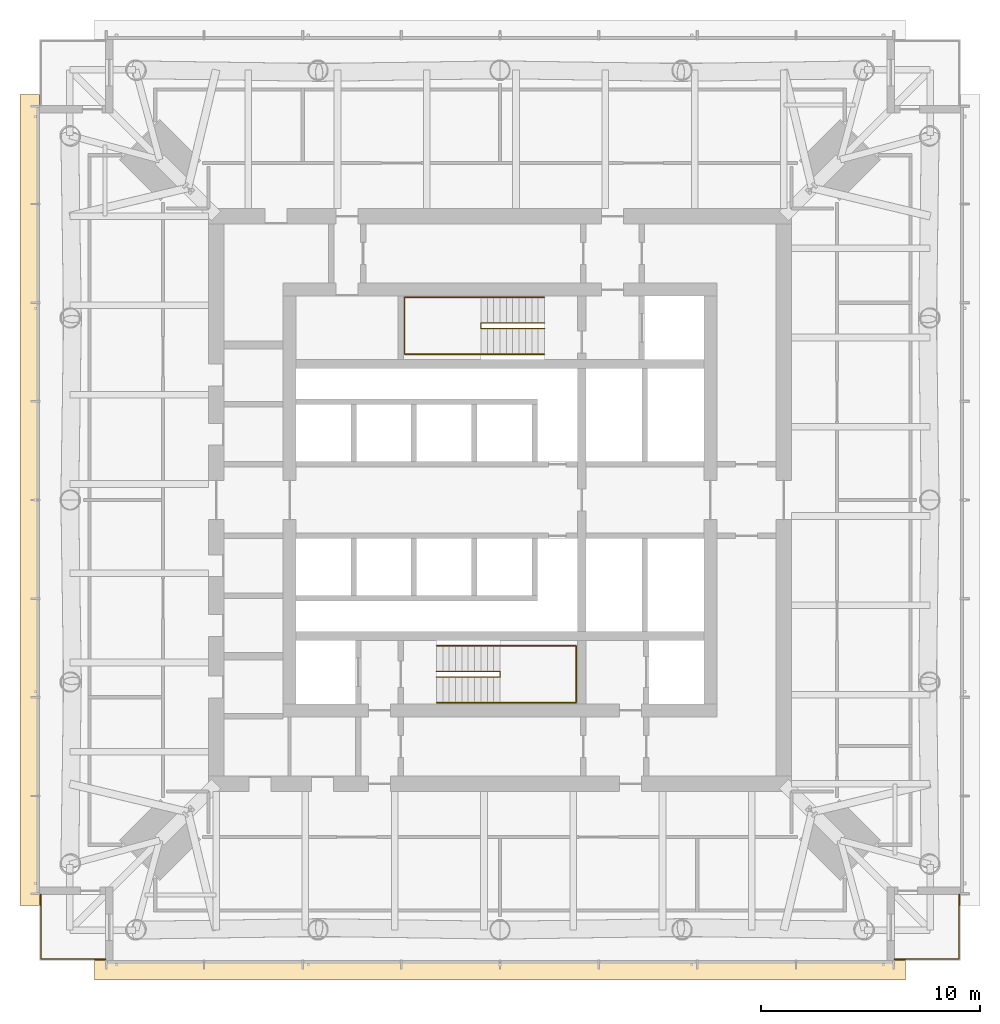
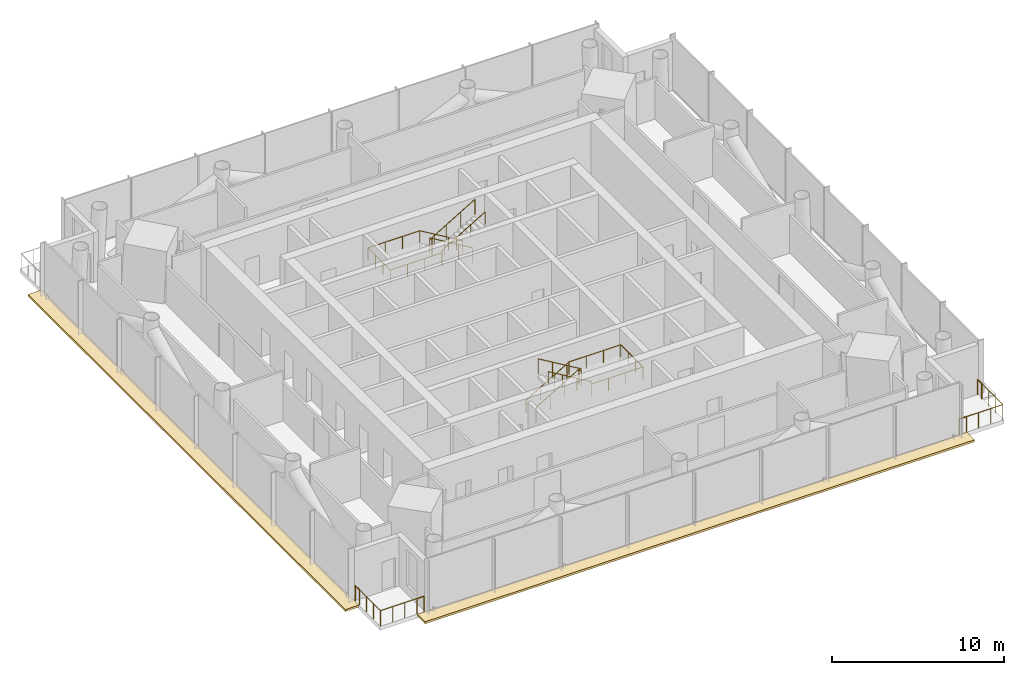
# One storey, part 12 of 13: 10 railings, 2 coverings.
"""IFC4 building model written with IfcOpenShell, lengths in metres."""

import ifcopenshell
import ifcopenshell.guid

model = None  # the IFC model being written
_history = None  # IfcOwnerHistory: only IFC2X3 demands one
_inside = {}  # id of a spatial element -> (the spatial element, [elements in it])
_under = {}  # id of a project, library or spatial element -> (it, [spatial elements below it])
_declared = {}  # id of a project -> (the project, [libraries it declares])
_typed = {}  # id of a type object -> (the type object, [elements of that type])
_made_of = {}  # id of a material, layer set ... -> (it, [elements and type objects made of it])


def new_model(schema):
    """Start an empty IFC model of exactly this schema.

    Asked for "IFC4X3", IfcOpenShell would pick the latest addendum, in which some entities
    have other attributes; the version numbers below select the first issue.
    IFC2X3 requires an IfcOwnerHistory on every rooted entity: one is made here for all.
    """
    global model, _history
    if schema == "IFC4X3":
        model = ifcopenshell.file(schema_version=(4, 3, 0, 0))
    else:
        model = ifcopenshell.file(schema=schema)
    _inside.clear()
    _under.clear()
    _declared.clear()
    _typed.clear()
    _made_of.clear()
    _history = None
    if model.schema == "IFC2X3":
        org = make("IfcOrganization", Name="unknown")
        user = make(
            "IfcPersonAndOrganization",
            ThePerson=make("IfcPerson", FamilyName="unknown"),
            TheOrganization=org,
        )
        app = make(
            "IfcApplication",
            ApplicationDeveloper=org,
            Version="unknown",
            ApplicationFullName="unknown",
            ApplicationIdentifier="unknown",
        )
        _history = make(
            "IfcOwnerHistory",
            OwningUser=user,
            OwningApplication=app,
            ChangeAction="ADDED",
            CreationDate=0,
        )
    return model


def make(cls, **values):
    """One entity of the class cls with the attributes given. An attribute that is None is left unset."""
    return model.create_entity(
        cls, **{name: value for name, value in values.items() if value is not None}
    )


def rooted(cls, **values):
    """An entity with a GlobalId (a new one), such as an element, a storey or a relation."""
    return make(cls, GlobalId=ifcopenshell.guid.new(), OwnerHistory=_history, **values)


def si_unit(unit_type, name, prefix=None):
    """IfcSIUnit, for example si_unit("LENGTHUNIT", "METRE", prefix="MILLI")."""
    return make("IfcSIUnit", UnitType=unit_type, Prefix=prefix, Name=name)


def assignment(units):
    """IfcUnitAssignment: the units of a project."""
    return None if units is None else make("IfcUnitAssignment", Units=units)


def point(xyz):
    """IfcCartesianPoint."""
    return None if xyz is None else make("IfcCartesianPoint", Coordinates=xyz)


def direction(xyz):
    """IfcDirection."""
    return None if xyz is None else make("IfcDirection", DirectionRatios=xyz)


def frame(location, z_axis=None, x_axis=None):
    """IfcAxis2Placement3D, a coordinate frame: its origin and axes. An axis left out is left unset."""
    return make(
        "IfcAxis2Placement3D",
        Location=point(location),
        Axis=direction(z_axis),
        RefDirection=direction(x_axis),
    )


def frame_2d(location, x_axis=None):
    """IfcAxis2Placement2D, a coordinate frame in the plane: its origin and x axis."""
    return make(
        "IfcAxis2Placement2D", Location=point(location), RefDirection=direction(x_axis)
    )


def origin():
    """The frame at (0, 0, 0) with its axes left unset."""
    return frame((0.0, 0.0, 0.0))


def origin_2d():
    """The frame at (0, 0) in the plane with its x axis left unset."""
    return frame_2d((0.0, 0.0))


def place(relative_to, where):
    """IfcLocalPlacement: puts the frame where relative to a parent placement (None: the world)."""
    return make(
        "IfcLocalPlacement", PlacementRelTo=relative_to, RelativePlacement=where
    )


def context(
    kind, dimensions, precision=None, world=None, true_north=None, identifier=None
):
    """IfcGeometricRepresentationContext, for example the 3D "Model" context."""
    return make(
        "IfcGeometricRepresentationContext",
        ContextIdentifier=identifier,
        ContextType=kind,
        CoordinateSpaceDimension=dimensions,
        Precision=precision,
        WorldCoordinateSystem=world,
        TrueNorth=true_north,
    )


def subcontext(parent, identifier, kind, view, scale=None):
    """IfcGeometricRepresentationSubContext, for example "Body" below "Model"."""
    return make(
        "IfcGeometricRepresentationSubContext",
        ContextIdentifier=identifier,
        ContextType=kind,
        ParentContext=parent,
        TargetScale=scale,
        TargetView=view,
    )


def project(units=None, contexts=None):
    """IfcProject with its units and contexts."""
    return rooted(
        "IfcProject",
        Name="project",
        RepresentationContexts=contexts,
        UnitsInContext=assignment(units),
    )


def spatial(cls, under=None, at=None, **own):
    """A site, building, storey or space (cls), placed at a placement, below another one or the project."""
    s = rooted(cls, ObjectPlacement=at, **own)
    if under is not None:
        _under.setdefault(under.id(), (under, []))[1].append(s)
    return s


def polyline(points):
    """IfcPolyline through the points."""
    return make("IfcPolyline", Points=[point(p) for p in points])


def profile(cls, at=None, kind="AREA", **sizes):
    """A parametric profile (cls). Its sizes go by their IFC names, for example OverallWidth=200.0."""
    return make(cls, ProfileType=kind, Position=at, **sizes)


def circle(**sizes):
    """IfcCircleProfileDef."""
    return profile("IfcCircleProfileDef", **sizes)


def outline(outer, holes=None, kind="AREA"):
    """IfcArbitraryClosedProfileDef: a profile drawn as a closed curve; with holes, ...WithVoids."""
    if holes is None:
        return make("IfcArbitraryClosedProfileDef", ProfileType=kind, OuterCurve=outer)
    return make(
        "IfcArbitraryProfileDefWithVoids",
        ProfileType=kind,
        OuterCurve=outer,
        InnerCurves=holes,
    )


def extrude(swept, where, along, depth):
    """IfcExtrudedAreaSolid: the profile swept, set in the frame where, extruded along a direction by depth."""
    return make(
        "IfcExtrudedAreaSolid",
        SweptArea=swept,
        Position=where,
        ExtrudedDirection=direction(along),
        Depth=depth,
    )


def shape(context_of_items, identifier, shape_type, items):
    """IfcShapeRepresentation: the items that make up one representation, for example the "Body"."""
    return make(
        "IfcShapeRepresentation",
        ContextOfItems=context_of_items,
        RepresentationIdentifier=identifier,
        RepresentationType=shape_type,
        Items=items,
    )


def material(Name=None, Category=None):
    """IfcMaterial."""
    return make("IfcMaterial", Name=Name, Category=Category)


def layer(
    of_material, thickness, ventilated=None, Name=None, Category=None, Priority=None
):
    """IfcMaterialLayer: one layer of a wall or slab, of a material (None: an air gap)."""
    return make(
        "IfcMaterialLayer",
        Material=of_material,
        LayerThickness=thickness,
        IsVentilated=ventilated,
        Name=Name,
        Category=Category,
        Priority=Priority,
    )


def layer_set(layers, Name=None):
    """IfcMaterialLayerSet."""
    return make("IfcMaterialLayerSet", MaterialLayers=layers, LayerSetName=Name)


def made_of(thing, what):
    """Note that an element or type object is made of a material, layer set ...; save() writes the relation."""
    if what is not None:
        _made_of.setdefault(what.id(), (what, []))[1].append(thing)
    return thing


def type_object(cls, material=None, **own):
    """A type object (cls), such as IfcWallType, which elements share."""
    return made_of(rooted(cls, **own), material)


def element(
    cls,
    number,
    at=None,
    inside=None,
    cuts=None,
    type_object=None,
    material=None,
    context=None,
    identifier="Body",
    shape_type=None,
    held_by="IfcProductDefinitionShape",
    body=None,
    shapes=None,
    **own,
):
    """One element of the class cls, such as IfcWall. Its Tag is "e" and its number.

    at: its placement. inside: the storey or other place that contains it. cuts: it is an
    opening in that element (IfcRelVoidsElement). A single representation is given by context,
    identifier, shape_type and body (its items); several are given by shapes. held_by: the class
    of the entity that holds the representations. save() writes the other relations.
    """
    e = rooted(cls, Tag="e%d" % number, ObjectPlacement=at, **own)
    if body is not None:
        shapes = [shape(context, identifier, shape_type, body)]
    if shapes is not None:
        e.Representation = make(held_by, Representations=shapes)
    if inside is not None:
        _inside.setdefault(inside.id(), (inside, []))[1].append(e)
    if cuts is not None:
        rooted(
            "IfcRelVoidsElement", RelatingBuildingElement=cuts, RelatedOpeningElement=e
        )
    if type_object is not None:
        _typed.setdefault(type_object.id(), (type_object, []))[1].append(e)
    return made_of(e, material)


def aggregate(whole, parts):
    """IfcRelAggregates: a whole, such as a stair, and the parts it consists of."""
    return rooted("IfcRelAggregates", RelatingObject=whole, RelatedObjects=parts)


def save(model, path):
    """Write the relations noted so far, then the file.

    IfcRelAggregates (storeys below a building ...), IfcRelContainedInSpatialStructure (elements
    in a storey), IfcRelDefinesByType, IfcRelAssociatesMaterial and IfcRelDeclares: one each for
    every whole, place, type object, material and project.
    """
    for whole, parts in _under.values():
        aggregate(whole, parts)
    for where, things in _inside.values():
        rooted(
            "IfcRelContainedInSpatialStructure",
            RelatedElements=things,
            RelatingStructure=where,
        )
    for kind, things in _typed.values():
        rooted("IfcRelDefinesByType", RelatedObjects=things, RelatingType=kind)
    for what, things in _made_of.values():
        rooted("IfcRelAssociatesMaterial", RelatedObjects=things, RelatingMaterial=what)
    for by, libraries in _declared.values():
        rooted("IfcRelDeclares", RelatingContext=by, RelatedDefinitions=libraries)
    model.write(path)


model = new_model("IFC4")

# Units and contexts
model_context = context("Model", 3, precision=1e-05, world=origin(), true_north=direction((0.0, 1.0)))
body_context = subcontext(model_context, "Body", "Model", "MODEL_VIEW")
ifc_project = project(units=[si_unit("LENGTHUNIT", "METRE"), si_unit("AREAUNIT", "SQUARE_METRE"), si_unit("VOLUMEUNIT", "CUBIC_METRE"), si_unit("PLANEANGLEUNIT", "RADIAN"), si_unit("MASSUNIT", "GRAM", prefix="KILO")], contexts=[model_context])

# Site, building, storey
site_placement = place(None, origin())
site = spatial("IfcSite", under=ifc_project, at=site_placement, CompositionType="ELEMENT")
building_placement = place(site_placement, origin())
building = spatial("IfcBuilding", under=site, at=building_placement, Name="Ostroluk Exchange", CompositionType="ELEMENT")
storey_placement = place(building_placement, frame((0.0, 0.0, 157.800048828125)))
storey = spatial("IfcBuildingStorey", under=building, at=storey_placement, Name="L40", CompositionType="ELEMENT", Elevation=157.800048828125)

# Railings
ifc_material_1 = material(Name="Stainless steel", Category="steel")
railing_type_1 = type_object("IfcRailingType", Name="Guard 1100 stainless steel", PredefinedType="GUARDRAIL", material=ifc_material_1)
railing_1_placement = place(storey_placement, frame((63.5, 25.050048828125, 0.0)))
element("IfcRailing", 1, at=railing_1_placement, inside=storey, type_object=railing_type_1, Name="Office tower SE balcony guard L40", PredefinedType="GUARDRAIL", context=body_context, shape_type="SweptSolid", body=[
    extrude(circle(Radius=0.02392578125, at=origin_2d()), frame((0.0, 0.0, 1.076171875), z_axis=(1.0, 0.0, 0.0), x_axis=(0.0, 1.0, 0.0)), (0.0, 0.0, 1.0), 2.449951171875),
    extrude(circle(Radius=0.02392578125, at=origin_2d()), frame((2.449951171875, 0.0, 1.076171875), z_axis=(0.0, 1.0, 0.0), x_axis=(-1.0, 0.0, 0.0)), (0.0, 0.0, 1.0), 2.449951171875),
    extrude(circle(Radius=0.02099609375, at=origin_2d()), origin(), (0.0, 0.0, 1.0), 1.052001953125),
    extrude(circle(Radius=0.02099609375, at=origin_2d()), frame((0.816650390625, 0.0, 0.0)), (0.0, 0.0, 1.0), 1.052001953125),
    extrude(circle(Radius=0.02099609375, at=origin_2d()), frame((1.63330078125, 0.0, 0.0)), (0.0, 0.0, 1.0), 1.052001953125),
    extrude(circle(Radius=0.02099609375, at=origin_2d()), frame((2.449951171875, 0.0, 0.0)), (0.0, 0.0, 1.0), 1.052001953125),
    extrude(circle(Radius=0.02099609375, at=origin_2d()), frame((2.449951171875, 0.816650390625, 0.0)), (0.0, 0.0, 1.0), 1.052001953125),
    extrude(circle(Radius=0.02099609375, at=origin_2d()), frame((2.449951171875, 1.63330078125, 0.0)), (0.0, 0.0, 1.0), 1.052001953125),
    extrude(circle(Radius=0.02099609375, at=origin_2d()), frame((2.449951171875, 2.449951171875, 0.0)), (0.0, 0.0, 1.0), 1.052001953125),
])
railing_2_placement = place(storey_placement, frame((26.5, 25.050048828125, 0.0)))
element("IfcRailing", 2, at=railing_2_placement, inside=storey, type_object=railing_type_1, Name="Office tower SW balcony guard L40", PredefinedType="GUARDRAIL", context=body_context, shape_type="SweptSolid", body=[
    extrude(circle(Radius=0.02392578125, at=origin_2d()), frame((0.0, 0.0, 1.076171875), z_axis=(-1.0, 0.0, 0.0), x_axis=(0.0, -1.0, 0.0)), (0.0, 0.0, 1.0), 2.449951171875),
    extrude(circle(Radius=0.02392578125, at=origin_2d()), frame((-2.449951171875, 0.0, 1.076171875), z_axis=(0.0, 1.0, 0.0), x_axis=(-1.0, 0.0, 0.0)), (0.0, 0.0, 1.0), 2.449951171875),
    extrude(circle(Radius=0.02099609375, at=origin_2d()), origin(), (0.0, 0.0, 1.0), 1.052001953125),
    extrude(circle(Radius=0.02099609375, at=origin_2d()), frame((-0.816650390625, 0.0, 0.0)), (0.0, 0.0, 1.0), 1.052001953125),
    extrude(circle(Radius=0.02099609375, at=origin_2d()), frame((-1.63330078125, 0.0, 0.0)), (0.0, 0.0, 1.0), 1.052001953125),
    extrude(circle(Radius=0.02099609375, at=origin_2d()), frame((-2.449951171875, 0.0, 0.0)), (0.0, 0.0, 1.0), 1.052001953125),
    extrude(circle(Radius=0.02099609375, at=origin_2d()), frame((-2.449951171875, 0.816650390625, 0.0)), (0.0, 0.0, 1.0), 1.052001953125),
    extrude(circle(Radius=0.02099609375, at=origin_2d()), frame((-2.449951171875, 1.63330078125, 0.0)), (0.0, 0.0, 1.0), 1.052001953125),
    extrude(circle(Radius=0.02099609375, at=origin_2d()), frame((-2.449951171875, 2.449951171875, 0.0)), (0.0, 0.0, 1.0), 1.052001953125),
])
ifc_material_2 = material(Name="Stainless steel", Category="steel")
railing_type_2 = type_object("IfcRailingType", Name="Lockable maintenance gate 1100", PredefinedType="GUARDRAIL", material=ifc_material_2)
railing_3_placement = place(storey_placement, frame((63.0, 25.050048828125, 0.0)))
element("IfcRailing", 3, at=railing_3_placement, inside=storey, type_object=railing_type_2, Name="Lockable maintenance gate T1 L40 SE", PredefinedType="GUARDRAIL", context=body_context, shape_type="SweptSolid", body=[
    extrude(circle(Radius=0.02392578125, at=origin_2d()), frame((0.0, 0.0, 1.076171875), z_axis=(1.0, 0.0, 0.0), x_axis=(0.0, 1.0, 0.0)), (0.0, 0.0, 1.0), 0.5),
    extrude(circle(Radius=0.02099609375, at=origin_2d()), origin(), (0.0, 0.0, 1.0), 1.052001953125),
    extrude(circle(Radius=0.02099609375, at=origin_2d()), frame((0.5, 0.0, 0.0)), (0.0, 0.0, 1.0), 1.052001953125),
])
railing_4_placement = place(storey_placement, frame((65.949951171875, 27.5, 0.0)))
element("IfcRailing", 4, at=railing_4_placement, inside=storey, type_object=railing_type_2, Name="Lockable maintenance gate T1 L40 SE", PredefinedType="GUARDRAIL", context=body_context, shape_type="SweptSolid", body=[
    extrude(circle(Radius=0.02392578125, at=origin_2d()), frame((0.0, 0.0, 1.076171875), z_axis=(0.0, 1.0, 0.0), x_axis=(-1.0, 0.0, 0.0)), (0.0, 0.0, 1.0), 0.5),
    extrude(circle(Radius=0.02099609375, at=origin_2d()), origin(), (0.0, 0.0, 1.0), 1.052001953125),
    extrude(circle(Radius=0.02099609375, at=origin_2d()), frame((0.0, 0.5, 0.0)), (0.0, 0.0, 1.0), 1.052001953125),
])
railing_5_placement = place(storey_placement, frame((27.0, 25.050048828125, 0.0)))
element("IfcRailing", 5, at=railing_5_placement, inside=storey, type_object=railing_type_2, Name="Lockable maintenance gate T1 L40 SW", PredefinedType="GUARDRAIL", context=body_context, shape_type="SweptSolid", body=[
    extrude(circle(Radius=0.02392578125, at=origin_2d()), frame((0.0, 0.0, 1.076171875), z_axis=(-1.0, 0.0, 0.0), x_axis=(0.0, -1.0, 0.0)), (0.0, 0.0, 1.0), 0.5),
    extrude(circle(Radius=0.02099609375, at=origin_2d()), origin(), (0.0, 0.0, 1.0), 1.052001953125),
    extrude(circle(Radius=0.02099609375, at=origin_2d()), frame((-0.5, 0.0, 0.0)), (0.0, 0.0, 1.0), 1.052001953125),
])
railing_6_placement = place(storey_placement, frame((24.050048828125, 27.5, 0.0)))
element("IfcRailing", 6, at=railing_6_placement, inside=storey, type_object=railing_type_2, Name="Lockable maintenance gate T1 L40 SW", PredefinedType="GUARDRAIL", context=body_context, shape_type="SweptSolid", body=[
    extrude(circle(Radius=0.02392578125, at=origin_2d()), frame((0.0, 0.0, 1.076171875), z_axis=(0.0, 1.0, 0.0), x_axis=(-1.0, 0.0, 0.0)), (0.0, 0.0, 1.0), 0.5),
    extrude(circle(Radius=0.02099609375, at=origin_2d()), origin(), (0.0, 0.0, 1.0), 1.052001953125),
    extrude(circle(Radius=0.02099609375, at=origin_2d()), frame((0.0, 0.5, 0.0)), (0.0, 0.0, 1.0), 1.052001953125),
])

# Coverings
ifc_material_3 = material(Name="Insulated steel roof deck with membrane, laid to falls, aluminium coping", Category="steel")
ifc_layer = layer(ifc_material_3, 0.14990234375)
ifc_layer_set = layer_set([ifc_layer], Name="Setback maintenance roof")
covering_type = type_object("IfcCoveringType", Name="Setback maintenance roof", PredefinedType="ROOFING", material=ifc_layer_set)
covering_1_placement = place(storey_placement, frame((0.0, 0.0, -0.150146484375)))
element("IfcCovering", 7, at=covering_1_placement, inside=storey, type_object=covering_type, Name="Maintenance roof, setback L40 south", PredefinedType="ROOFING", context=body_context, shape_type="SweptSolid", body=[
    extrude(outline(polyline([(26.5, 25.0), (63.5, 25.0), (63.5, 24.10009765625), (26.5, 24.10009765625), (26.5, 25.0)])), origin(), (0.0, 0.0, 1.0), 0.150146484375),
])
covering_2_placement = place(storey_placement, frame((0.0, 0.0, -0.150146484375)))
element("IfcCovering", 8, at=covering_2_placement, inside=storey, type_object=covering_type, Name="Maintenance roof, setback L40 west", PredefinedType="ROOFING", context=body_context, shape_type="SweptSolid", body=[
    extrude(outline(polyline([(23.10009765625, 64.5), (24.0, 64.5), (24.0, 27.5), (23.10009765625, 27.5), (23.10009765625, 64.5)])), origin(), (0.0, 0.0, 1.0), 0.150146484375),
])

# Railings
ifc_material_4 = material(Name="Steel S355", Category="steel")
railing_type_3 = type_object("IfcRailingType", Name="Stair guard 1100", PredefinedType="GUARDRAIL", material=ifc_material_4)
railing_7_placement = place(storey_placement, frame((42.10009765625, 38.179931640625, 0.172607421875)))
element("IfcRailing", 9, at=railing_7_placement, inside=storey, type_object=railing_type_3, Name="Stair T1-S1 guard L40", PredefinedType="GUARDRAIL", context=body_context, shape_type="SweptSolid", body=[
    extrude(circle(Radius=0.02392578125, at=origin_2d()), frame((0.0, 0.0, 1.076171875), z_axis=(0.859141464434, 0.0, 0.511738159696), x_axis=(0.0, 1.0, 0.0)), (0.0, 0.0, 1.0), 3.375244140625),
    extrude(circle(Radius=0.02392578125, at=origin_2d()), frame((2.89990234375, 0.0, 2.80322265625), z_axis=(0.0, -1.0, 0.0), x_axis=(1.0, 0.0, 0.0)), (0.0, 0.0, 1.0), 0.260009765625),
    extrude(circle(Radius=0.02392578125, at=origin_2d()), frame((2.89990234375, -0.260009765625, 2.80322265625), z_axis=(0.0, 0.0, 1.0), x_axis=(1.0, 0.0, 0.0)), (0.0, 0.0, 1.0), 0.1728515625),
    extrude(circle(Radius=0.02392578125, at=origin_2d()), frame((2.89990234375, -0.260009765625, 2.97607421875), z_axis=(-0.859141464434, 0.0, 0.511738159696), x_axis=(0.0, -1.0, 0.0)), (0.0, 0.0, 1.0), 3.375244140625),
    extrude(circle(Radius=0.02099609375, at=origin_2d()), origin(), (0.0, 0.0, 1.0), 1.052001953125),
    extrude(circle(Radius=0.02099609375, at=origin_2d()), frame((0.966552734375, 0.0, 0.57568359375)), (0.0, 0.0, 1.0), 1.052001953125),
    extrude(circle(Radius=0.02099609375, at=origin_2d()), frame((1.933349609375, 0.0, 1.151611328125)), (0.0, 0.0, 1.0), 1.052001953125),
    extrude(circle(Radius=0.02099609375, at=origin_2d()), frame((2.89990234375, 0.0, 1.727294921875)), (0.0, 0.0, 1.0), 1.052001953125),
    extrude(circle(Radius=0.02099609375, at=origin_2d()), frame((2.89990234375, -0.260009765625, 1.727294921875)), (0.0, 0.0, 1.0), 1.052001953125),
    extrude(circle(Radius=0.02099609375, at=origin_2d()), frame((2.89990234375, -0.260009765625, 1.900146484375)), (0.0, 0.0, 1.0), 1.052001953125),
    extrude(circle(Radius=0.02099609375, at=origin_2d()), frame((1.933349609375, -0.260009765625, 2.475830078125)), (0.0, 0.0, 1.0), 1.052001953125),
    extrude(circle(Radius=0.02099609375, at=origin_2d()), frame((0.966552734375, -0.260009765625, 3.0517578125)), (0.0, 0.0, 1.0), 1.052001953125),
    extrude(circle(Radius=0.02099609375, at=origin_2d()), frame((0.0, -0.260009765625, 3.62744140625)), (0.0, 0.0, 1.0), 1.052001953125),
])
railing_8_placement = place(storey_placement, frame((47.030029296875, 54.080078125, 0.172607421875)))
element("IfcRailing", 10, at=railing_8_placement, inside=storey, type_object=railing_type_3, Name="Stair T1-S2 guard L40", PredefinedType="GUARDRAIL", context=body_context, shape_type="SweptSolid", body=[
    extrude(circle(Radius=0.02392578125, at=origin_2d()), frame((0.0, 0.0, 1.076171875), z_axis=(-0.859160404282, 0.0, 0.51170636083), x_axis=(0.0, -1.0, 0.0)), (0.0, 0.0, 1.0), 3.37548828125),
    extrude(circle(Radius=0.02392578125, at=origin_2d()), frame((-2.900146484375, 0.0, 2.80322265625), z_axis=(0.0, -1.0, 0.0), x_axis=(1.0, 0.0, 0.0)), (0.0, 0.0, 1.0), 0.260009765625),
    extrude(circle(Radius=0.02392578125, at=origin_2d()), frame((-2.900146484375, -0.260009765625, 2.80322265625), z_axis=(0.0, 0.0, 1.0), x_axis=(1.0, 0.0, 0.0)), (0.0, 0.0, 1.0), 0.1728515625),
    extrude(circle(Radius=0.02392578125, at=origin_2d()), frame((-2.900146484375, -0.260009765625, 2.97607421875), z_axis=(0.859160404282, 0.0, 0.51170636083), x_axis=(0.0, 1.0, 0.0)), (0.0, 0.0, 1.0), 3.37548828125),
    extrude(circle(Radius=0.02099609375, at=origin_2d()), origin(), (0.0, 0.0, 1.0), 1.052001953125),
    extrude(circle(Radius=0.02099609375, at=origin_2d()), frame((-0.966796875, 0.0, 0.57568359375)), (0.0, 0.0, 1.0), 1.052001953125),
    extrude(circle(Radius=0.02099609375, at=origin_2d()), frame((-1.933349609375, 0.0, 1.151611328125)), (0.0, 0.0, 1.0), 1.052001953125),
    extrude(circle(Radius=0.02099609375, at=origin_2d()), frame((-2.900146484375, 0.0, 1.727294921875)), (0.0, 0.0, 1.0), 1.052001953125),
    extrude(circle(Radius=0.02099609375, at=origin_2d()), frame((-2.900146484375, -0.260009765625, 1.727294921875)), (0.0, 0.0, 1.0), 1.052001953125),
    extrude(circle(Radius=0.02099609375, at=origin_2d()), frame((-2.900146484375, -0.260009765625, 1.900146484375)), (0.0, 0.0, 1.0), 1.052001953125),
    extrude(circle(Radius=0.02099609375, at=origin_2d()), frame((-1.933349609375, -0.260009765625, 2.475830078125)), (0.0, 0.0, 1.0), 1.052001953125),
    extrude(circle(Radius=0.02099609375, at=origin_2d()), frame((-0.966796875, -0.260009765625, 3.0517578125)), (0.0, 0.0, 1.0), 1.052001953125),
    extrude(circle(Radius=0.02099609375, at=origin_2d()), frame((0.0, -0.260009765625, 3.62744140625)), (0.0, 0.0, 1.0), 1.052001953125),
])
ifc_material_5 = material(Name="Stainless steel", Category="steel")
railing_type_4 = type_object("IfcRailingType", Name="Stair handrail 900", PredefinedType="HANDRAIL", material=ifc_material_5)
railing_9_placement = place(storey_placement, frame((42.10009765625, 39.35009765625, 0.172607421875)))
element("IfcRailing", 11, at=railing_9_placement, inside=storey, type_object=railing_type_4, Name="Stair T1-S1 handrail L40", PredefinedType="HANDRAIL", context=body_context, shape_type="SweptSolid", body=[
    extrude(circle(Radius=0.02392578125, at=origin_2d()), frame((0.0, 0.0, 0.8759765625), z_axis=(0.859141464434, 0.0, 0.511738159696), x_axis=(0.0, 1.0, 0.0)), (0.0, 0.0, 1.0), 3.375244140625),
    extrude(circle(Radius=0.02392578125, at=origin_2d()), frame((2.89990234375, 0.0, 2.60302734375), z_axis=(1.0, 0.0, 0.0), x_axis=(0.0, 1.0, 0.0)), (0.0, 0.0, 1.0), 3.47998046875),
    extrude(circle(Radius=0.02392578125, at=origin_2d()), frame((6.3798828125, 0.0, 2.60302734375), z_axis=(0.0, -1.0, 0.0), x_axis=(1.0, 0.0, 0.0)), (0.0, 0.0, 1.0), 2.60009765625),
    extrude(circle(Radius=0.02392578125, at=origin_2d()), frame((6.3798828125, -2.60009765625, 2.60302734375), z_axis=(-1.0, 0.0, 0.0), x_axis=(0.0, -1.0, 0.0)), (0.0, 0.0, 1.0), 3.47998046875),
    extrude(circle(Radius=0.02392578125, at=origin_2d()), frame((2.89990234375, -2.60009765625, 2.60302734375), z_axis=(0.0, 0.0, 1.0), x_axis=(1.0, 0.0, 0.0)), (0.0, 0.0, 1.0), 0.1728515625),
    extrude(circle(Radius=0.02392578125, at=origin_2d()), frame((2.89990234375, -2.60009765625, 2.77587890625), z_axis=(-0.859141464434, 0.0, 0.511738159696), x_axis=(0.0, -1.0, 0.0)), (0.0, 0.0, 1.0), 3.375244140625),
    extrude(circle(Radius=0.02099609375, at=origin_2d()), origin(), (0.0, 0.0, 1.0), 0.851806640625),
    extrude(circle(Radius=0.02099609375, at=origin_2d()), frame((0.966552734375, 0.0, 0.57568359375)), (0.0, 0.0, 1.0), 0.851806640625),
    extrude(circle(Radius=0.02099609375, at=origin_2d()), frame((1.933349609375, 0.0, 1.151611328125)), (0.0, 0.0, 1.0), 0.851806640625),
    extrude(circle(Radius=0.02099609375, at=origin_2d()), frame((2.89990234375, 0.0, 1.727294921875)), (0.0, 0.0, 1.0), 0.851806640625),
    extrude(circle(Radius=0.02099609375, at=origin_2d()), frame((4.059814453125, 0.0, 1.727294921875)), (0.0, 0.0, 1.0), 0.851806640625),
    extrude(circle(Radius=0.02099609375, at=origin_2d()), frame((5.219970703125, 0.0, 1.727294921875)), (0.0, 0.0, 1.0), 0.851806640625),
    extrude(circle(Radius=0.02099609375, at=origin_2d()), frame((6.3798828125, 0.0, 1.727294921875)), (0.0, 0.0, 1.0), 0.851806640625),
    extrude(circle(Radius=0.02099609375, at=origin_2d()), frame((6.3798828125, -0.86669921875, 1.727294921875)), (0.0, 0.0, 1.0), 0.851806640625),
    extrude(circle(Radius=0.02099609375, at=origin_2d()), frame((6.3798828125, -1.7333984375, 1.727294921875)), (0.0, 0.0, 1.0), 0.851806640625),
    extrude(circle(Radius=0.02099609375, at=origin_2d()), frame((6.3798828125, -2.60009765625, 1.727294921875)), (0.0, 0.0, 1.0), 0.851806640625),
    extrude(circle(Radius=0.02099609375, at=origin_2d()), frame((5.219970703125, -2.60009765625, 1.727294921875)), (0.0, 0.0, 1.0), 0.851806640625),
    extrude(circle(Radius=0.02099609375, at=origin_2d()), frame((4.059814453125, -2.60009765625, 1.727294921875)), (0.0, 0.0, 1.0), 0.851806640625),
    extrude(circle(Radius=0.02099609375, at=origin_2d()), frame((2.89990234375, -2.60009765625, 1.727294921875)), (0.0, 0.0, 1.0), 0.851806640625),
    extrude(circle(Radius=0.02099609375, at=origin_2d()), frame((2.89990234375, -2.60009765625, 1.900146484375)), (0.0, 0.0, 1.0), 0.851806640625),
    extrude(circle(Radius=0.02099609375, at=origin_2d()), frame((1.933349609375, -2.60009765625, 2.475830078125)), (0.0, 0.0, 1.0), 0.851806640625),
    extrude(circle(Radius=0.02099609375, at=origin_2d()), frame((0.966552734375, -2.60009765625, 3.0517578125)), (0.0, 0.0, 1.0), 0.851806640625),
    extrude(circle(Radius=0.02099609375, at=origin_2d()), frame((0.0, -2.60009765625, 3.62744140625)), (0.0, 0.0, 1.0), 0.851806640625),
])
railing_10_placement = place(storey_placement, frame((47.030029296875, 55.25, 0.172607421875)))
element("IfcRailing", 12, at=railing_10_placement, inside=storey, type_object=railing_type_4, Name="Stair T1-S2 handrail L40", PredefinedType="HANDRAIL", context=body_context, shape_type="SweptSolid", body=[
    extrude(circle(Radius=0.02392578125, at=origin_2d()), frame((0.0, 0.0, 0.8759765625), z_axis=(-0.859160404282, 0.0, 0.51170636083), x_axis=(0.0, -1.0, 0.0)), (0.0, 0.0, 1.0), 3.37548828125),
    extrude(circle(Radius=0.02392578125, at=origin_2d()), frame((-2.900146484375, 0.0, 2.60302734375), z_axis=(-1.0, 0.0, 0.0), x_axis=(0.0, -1.0, 0.0)), (0.0, 0.0, 1.0), 3.47998046875),
    extrude(circle(Radius=0.02392578125, at=origin_2d()), frame((-6.380126953125, 0.0, 2.60302734375), z_axis=(0.0, -1.0, 0.0), x_axis=(1.0, 0.0, 0.0)), (0.0, 0.0, 1.0), 2.60009765625),
    extrude(circle(Radius=0.02392578125, at=origin_2d()), frame((-6.380126953125, -2.60009765625, 2.60302734375), z_axis=(1.0, 0.0, 0.0), x_axis=(0.0, 1.0, 0.0)), (0.0, 0.0, 1.0), 3.47998046875),
    extrude(circle(Radius=0.02392578125, at=origin_2d()), frame((-2.900146484375, -2.60009765625, 2.60302734375), z_axis=(0.0, 0.0, 1.0), x_axis=(1.0, 0.0, 0.0)), (0.0, 0.0, 1.0), 0.1728515625),
    extrude(circle(Radius=0.02392578125, at=origin_2d()), frame((-2.900146484375, -2.60009765625, 2.77587890625), z_axis=(0.859160404282, 0.0, 0.51170636083), x_axis=(0.0, 1.0, 0.0)), (0.0, 0.0, 1.0), 3.37548828125),
    extrude(circle(Radius=0.02099609375, at=origin_2d()), origin(), (0.0, 0.0, 1.0), 0.851806640625),
    extrude(circle(Radius=0.02099609375, at=origin_2d()), frame((-0.966796875, 0.0, 0.57568359375)), (0.0, 0.0, 1.0), 0.851806640625),
    extrude(circle(Radius=0.02099609375, at=origin_2d()), frame((-1.933349609375, 0.0, 1.151611328125)), (0.0, 0.0, 1.0), 0.851806640625),
    extrude(circle(Radius=0.02099609375, at=origin_2d()), frame((-2.900146484375, 0.0, 1.727294921875)), (0.0, 0.0, 1.0), 0.851806640625),
    extrude(circle(Radius=0.02099609375, at=origin_2d()), frame((-4.06005859375, 0.0, 1.727294921875)), (0.0, 0.0, 1.0), 0.851806640625),
    extrude(circle(Radius=0.02099609375, at=origin_2d()), frame((-5.22021484375, 0.0, 1.727294921875)), (0.0, 0.0, 1.0), 0.851806640625),
    extrude(circle(Radius=0.02099609375, at=origin_2d()), frame((-6.380126953125, 0.0, 1.727294921875)), (0.0, 0.0, 1.0), 0.851806640625),
    extrude(circle(Radius=0.02099609375, at=origin_2d()), frame((-6.380126953125, -0.86669921875, 1.727294921875)), (0.0, 0.0, 1.0), 0.851806640625),
    extrude(circle(Radius=0.02099609375, at=origin_2d()), frame((-6.380126953125, -1.7333984375, 1.727294921875)), (0.0, 0.0, 1.0), 0.851806640625),
    extrude(circle(Radius=0.02099609375, at=origin_2d()), frame((-6.380126953125, -2.60009765625, 1.727294921875)), (0.0, 0.0, 1.0), 0.851806640625),
    extrude(circle(Radius=0.02099609375, at=origin_2d()), frame((-5.22021484375, -2.60009765625, 1.727294921875)), (0.0, 0.0, 1.0), 0.851806640625),
    extrude(circle(Radius=0.02099609375, at=origin_2d()), frame((-4.06005859375, -2.60009765625, 1.727294921875)), (0.0, 0.0, 1.0), 0.851806640625),
    extrude(circle(Radius=0.02099609375, at=origin_2d()), frame((-2.900146484375, -2.60009765625, 1.727294921875)), (0.0, 0.0, 1.0), 0.851806640625),
    extrude(circle(Radius=0.02099609375, at=origin_2d()), frame((-2.900146484375, -2.60009765625, 1.900146484375)), (0.0, 0.0, 1.0), 0.851806640625),
    extrude(circle(Radius=0.02099609375, at=origin_2d()), frame((-1.933349609375, -2.60009765625, 2.475830078125)), (0.0, 0.0, 1.0), 0.851806640625),
    extrude(circle(Radius=0.02099609375, at=origin_2d()), frame((-0.966796875, -2.60009765625, 3.0517578125)), (0.0, 0.0, 1.0), 0.851806640625),
    extrude(circle(Radius=0.02099609375, at=origin_2d()), frame((0.0, -2.60009765625, 3.62744140625)), (0.0, 0.0, 1.0), 0.851806640625),
])

save(model, "model.ifc")
